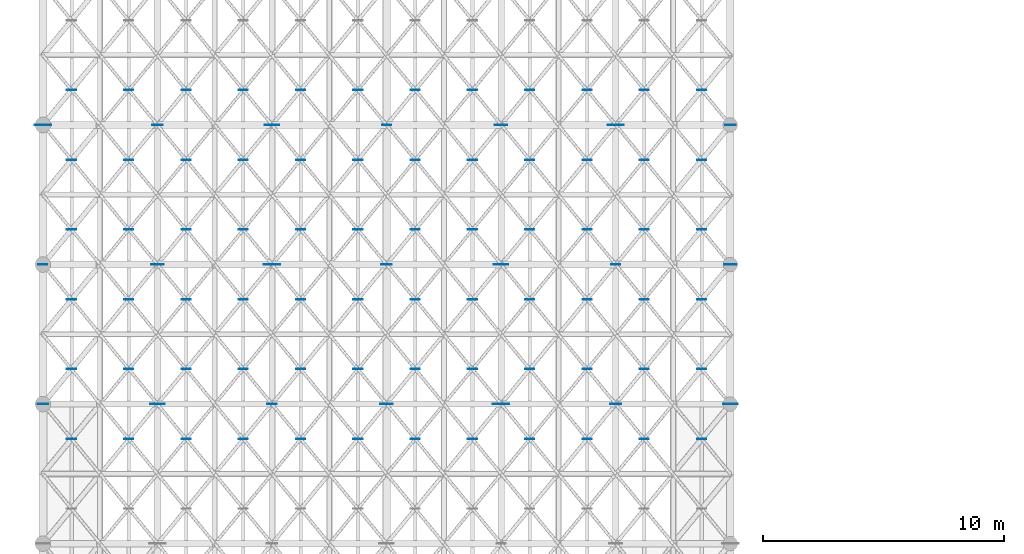
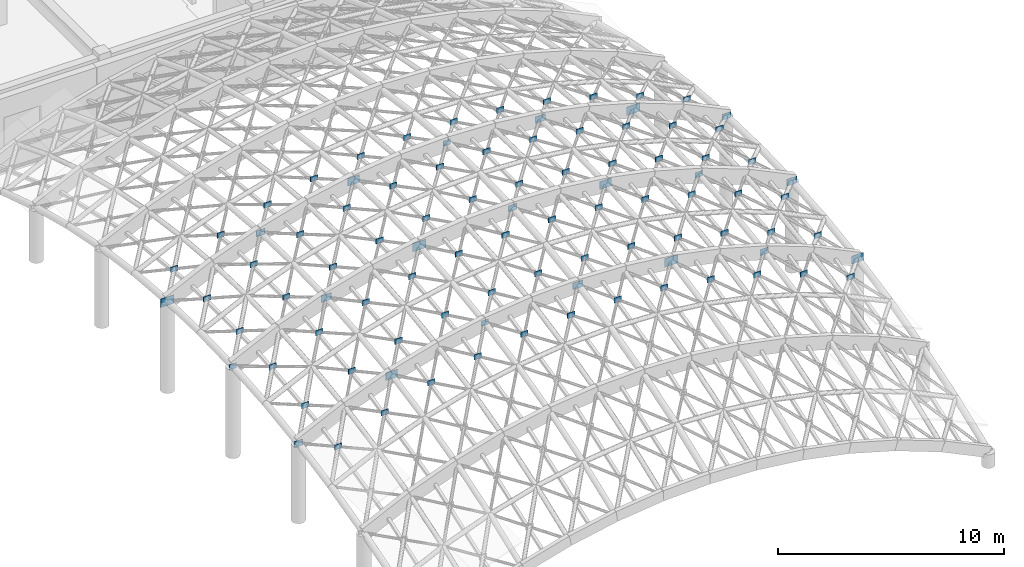
# One storey, part 125 of 146: 93 plates.
"""IFC4 building model written with IfcOpenShell, lengths in metres."""

from ifc_helpers import new_model, si_unit, direction, frame, origin, origin_2d, place, context, subcontext, project, spatial, rectangle, extrude, material, layer, layer_set, type_object, element, save


model = new_model("IFC4")

# Units and contexts
model_context = context("Model", 3, precision=1e-05, world=origin(), true_north=direction((0.0, 1.0)))
body_context = subcontext(model_context, "Body", "Model", "MODEL_VIEW")
ifc_project = project(units=[si_unit("LENGTHUNIT", "METRE"), si_unit("AREAUNIT", "SQUARE_METRE"), si_unit("VOLUMEUNIT", "CUBIC_METRE"), si_unit("PLANEANGLEUNIT", "RADIAN"), si_unit("MASSUNIT", "GRAM", prefix="KILO")], contexts=[model_context])

# Site, building, storey
site_placement = place(None, origin())
site = spatial("IfcSite", under=ifc_project, at=site_placement, CompositionType="ELEMENT")
building_placement = place(site_placement, origin())
building = spatial("IfcBuilding", under=site, at=building_placement, Name="Valcora Specialist Clinic", CompositionType="ELEMENT")
storey_placement = place(building_placement, frame((0.0, 0.0, 9.52001953125)))
storey = spatial("IfcBuildingStorey", under=building, at=storey_placement, Name="L02", CompositionType="ELEMENT", Elevation=9.52001953125)

# Plates
ifc_material = material(Name="Steel ASTM A572 Grade 50", Category="steel")
ifc_layer_1 = layer(ifc_material, 0.02587890625)
ifc_layer_set_1 = layer_set([ifc_layer_1], Name="Steel ASTM A572 Grade 50")
plate_type_1 = type_object("IfcPlateType", Name="TY-PL-GS1", PredefinedType="USERDEFINED", material=ifc_layer_set_1)
for number, where, z_axis, x_axis, name in (
    (1, (0.75, 61.89306640625, 4.531494140625), (0.0, 0.0, 1.0), (1.0, 0.0, 0.0), "Gridshell node gusset plate PL-GSN-005"),
    (2, (10.25, 56.10693359375, 7.715087890625), (0.0, 0.0, 1.0), (1.0, 0.0, 0.0), "Gridshell node gusset plate PL-GSN-020"),
    (3, (19.75, 50.321044921875, 7.066162109375), (0.0, 0.0, 1.0), (1.0, 0.0, 0.0), "Gridshell node gusset plate PL-GSN-035"),
    (4, (24.5, 61.89306640625, 6.5625), (0.0, 0.0, 1.0), (1.0, 0.0, 0.0), "Gridshell node gusset plate PL-GSN-045"),
):
    element("IfcPlate", number, at=place(storey_placement, frame(where, z_axis=z_axis, x_axis=x_axis)), inside=storey, type_object=plate_type_1, Name=name, ObjectType="GUSSET_PLATE", PredefinedType="USERDEFINED", context=body_context, shape_type="SweptSolid", body=[
        extrude(rectangle(XDim=0.679931640625, YDim=0.02587890625, at=origin_2d()), origin(), (0.0, 0.0, 1.0), 0.4599609375),
    ])
ifc_layer_2 = layer(ifc_material, 0.02392578125)
ifc_layer_set_2 = layer_set([ifc_layer_2], Name="Steel ASTM A572 Grade 50")
plate_type_2 = type_object("IfcPlateType", Name="TY-PL-GS2", PredefinedType="USERDEFINED", material=ifc_layer_set_2)
for number, where, z_axis, x_axis, name in (
    (5, (5.5, 50.321044921875, 5.933837890625), (0.0, 0.0, 1.0), (1.0, 0.0, 0.0), "Gridshell node gusset plate PL-GSN-011"),
    (6, (10.25, 61.89306640625, 7.735107421875), (0.0, 0.0, 1.0), (1.0, 0.0, 0.0), "Gridshell node gusset plate PL-GSN-021"),
    (7, (19.75, 56.10693359375, 7.735107421875), (0.0, 0.0, 1.0), (1.0, 0.0, 0.0), "Gridshell node gusset plate PL-GSN-036"),
    (8, (29.25, 50.321044921875, 3.90283203125), (0.0, 0.0, 1.0), (1.0, 0.0, 0.0), "Gridshell node gusset plate PL-GSN-051"),
):
    element("IfcPlate", number, at=place(storey_placement, frame(where, z_axis=z_axis, x_axis=x_axis)), inside=storey, type_object=plate_type_2, Name=name, ObjectType="GUSSET_PLATE", PredefinedType="USERDEFINED", context=body_context, shape_type="SweptSolid", body=[
        extrude(rectangle(XDim=0.60009765625, YDim=0.02392578125, at=origin_2d()), origin(), (0.0, 0.0, 1.0), 0.419921875),
    ])
ifc_layer_3 = layer(ifc_material, 0.02197265625)
ifc_layer_set_3 = layer_set([ifc_layer_3], Name="Steel ASTM A572 Grade 50")
plate_type_3 = type_object("IfcPlateType", Name="TY-PL-GS3", PredefinedType="USERDEFINED", material=ifc_layer_set_3)
for number, where, z_axis, x_axis, name in (
    (9, (5.5, 56.10693359375, 6.6123046875), (0.0, 0.0, 1.0), (1.0, 0.0, 0.0), "Gridshell node gusset plate PL-GSN-012"),
    (10, (15.0, 50.321044921875, 7.49072265625), (0.0, 0.0, 1.0), (1.0, 0.0, 0.0), "Gridshell node gusset plate PL-GSN-027"),
    (11, (19.75, 61.89306640625, 7.76513671875), (0.0, 0.0, 1.0), (1.0, 0.0, 0.0), "Gridshell node gusset plate PL-GSN-037"),
    (12, (29.25, 56.10693359375, 4.58154296875), (0.0, 0.0, 1.0), (1.0, 0.0, 0.0), "Gridshell node gusset plate PL-GSN-052"),
):
    element("IfcPlate", number, at=place(storey_placement, frame(where, z_axis=z_axis, x_axis=x_axis)), inside=storey, type_object=plate_type_3, Name=name, ObjectType="GUSSET_PLATE", PredefinedType="USERDEFINED", context=body_context, shape_type="SweptSolid", body=[
        extrude(rectangle(XDim=0.52001953125, YDim=0.02197265625, at=origin_2d()), origin(), (0.0, 0.0, 1.0), 0.360107421875),
    ])
ifc_layer_4 = layer(ifc_material, 0.02001953125)
ifc_layer_set_4 = layer_set([ifc_layer_4], Name="Steel ASTM A572 Grade 50")
plate_type_4 = type_object("IfcPlateType", Name="TY-PL-GS4", PredefinedType="USERDEFINED", material=ifc_layer_set_4)
for number, where, z_axis, x_axis, name in (
    (13, (0.75, 50.321044921875, 3.95263671875), (0.0, 0.0, 1.0), (1.0, 0.0, 0.0), "Gridshell node gusset plate PL-GSN-003"),
    (14, (5.5, 61.89306640625, 6.63232421875), (0.0, 0.0, 1.0), (1.0, 0.0, 0.0), "Gridshell node gusset plate PL-GSN-013"),
    (15, (15.0, 56.10693359375, 8.15966796875), (0.0, 0.0, 1.0), (1.0, 0.0, 0.0), "Gridshell node gusset plate PL-GSN-028"),
    (16, (24.5, 50.321044921875, 5.98388671875), (0.0, 0.0, 1.0), (1.0, 0.0, 0.0), "Gridshell node gusset plate PL-GSN-043"),
    (17, (29.25, 61.89306640625, 4.6015625), (0.0, 0.0, 1.0), (1.0, 0.0, 0.0), "Gridshell node gusset plate PL-GSN-053"),
):
    element("IfcPlate", number, at=place(storey_placement, frame(where, z_axis=z_axis, x_axis=x_axis)), inside=storey, type_object=plate_type_4, Name=name, ObjectType="GUSSET_PLATE", PredefinedType="USERDEFINED", context=body_context, shape_type="SweptSolid", body=[
        extrude(rectangle(XDim=0.43994140625, YDim=0.02001953125, at=origin_2d()), origin(), (0.0, 0.0, 1.0), 0.320068359375),
    ])
ifc_layer_5 = layer(ifc_material, 0.01806640625)
ifc_layer_set_5 = layer_set([ifc_layer_5], Name="Steel ASTM A572 Grade 50")
plate_type_5 = type_object("IfcPlateType", Name="TY-PL-GS5", PredefinedType="USERDEFINED", material=ifc_layer_set_5)
for number, where, z_axis, x_axis, name in (
    (18, (0.75, 56.10693359375, 4.62158203125), (0.0, 0.0, 1.0), (1.0, 0.0, 0.0), "Gridshell node gusset plate PL-GSN-004"),
    (19, (10.25, 50.321044921875, 7.15625), (0.0, 0.0, 1.0), (1.0, 0.0, 0.0), "Gridshell node gusset plate PL-GSN-019"),
    (20, (15.0, 61.89306640625, 8.1796875), (0.0, 0.0, 1.0), (1.0, 0.0, 0.0), "Gridshell node gusset plate PL-GSN-029"),
    (21, (24.5, 56.10693359375, 6.65234375), (0.0, 0.0, 1.0), (1.0, 0.0, 0.0), "Gridshell node gusset plate PL-GSN-044"),
    (22, (1.9375, 48.875, 4.2529296875), (0.0, 0.0, 1.0), (1.0, 0.0, 0.0), "Gridshell X-brace crossing gusset 0-3"),
    (23, (1.9375, 51.767578125, 4.74365234375), (0.0, 0.0, 1.0), (1.0, 0.0, 0.0), "Gridshell X-brace crossing gusset 0-4"),
    (24, (1.9375, 54.660400390625, 5.06787109375), (0.0, 0.0, 1.0), (1.0, 0.0, 0.0), "Gridshell X-brace crossing gusset 0-5"),
    (25, (1.9375, 57.553466796875, 5.2294921875), (0.0, 0.0, 1.0), (1.0, 0.0, 0.0), "Gridshell X-brace crossing gusset 0-6"),
    (26, (1.9375, 60.446533203125, 5.2294921875), (0.0, 0.0, 1.0), (1.0, 0.0, 0.0), "Gridshell X-brace crossing gusset 0-7"),
    (27, (1.9375, 63.339599609375, 5.06787109375), (0.0, 0.0, 1.0), (1.0, 0.0, 0.0), "Gridshell X-brace crossing gusset 0-8"),
    (28, (4.3125, 48.875, 5.2685546875), (0.0, 0.0, 1.0), (1.0, 0.0, 0.0), "Gridshell X-brace crossing gusset 1-3"),
    (29, (4.3125, 51.767578125, 5.75927734375), (0.0, 0.0, 1.0), (1.0, 0.0, 0.0), "Gridshell X-brace crossing gusset 1-4"),
    (30, (4.3125, 54.660400390625, 6.08349609375), (0.0, 0.0, 1.0), (1.0, 0.0, 0.0), "Gridshell X-brace crossing gusset 1-5"),
    (31, (4.3125, 57.553466796875, 6.2451171875), (0.0, 0.0, 1.0), (1.0, 0.0, 0.0), "Gridshell X-brace crossing gusset 1-6"),
    (32, (4.3125, 60.446533203125, 6.24462890625), (0.0, 0.0, 1.0), (1.0, 0.0, 0.0), "Gridshell X-brace crossing gusset 1-7"),
    (33, (4.3125, 63.339599609375, 6.08349609375), (0.0, 0.0, 1.0), (1.0, 0.0, 0.0), "Gridshell X-brace crossing gusset 1-8"),
    (34, (6.6875, 48.875, 6.05517578125), (0.0, 0.0, 1.0), (1.0, 0.0, 0.0), "Gridshell X-brace crossing gusset 2-3"),
    (35, (6.6875, 51.767578125, 6.5458984375), (0.0, 0.0, 1.0), (1.0, 0.0, 0.0), "Gridshell X-brace crossing gusset 2-4"),
    (36, (6.6875, 54.660400390625, 6.8701171875), (0.0, 0.0, 1.0), (1.0, 0.0, 0.0), "Gridshell X-brace crossing gusset 2-5"),
    (37, (6.6875, 57.553466796875, 7.03173828125), (0.0, 0.0, 1.0), (1.0, 0.0, 0.0), "Gridshell X-brace crossing gusset 2-6"),
    (38, (6.6875, 60.446533203125, 7.03173828125), (0.0, 0.0, 1.0), (1.0, 0.0, 0.0), "Gridshell X-brace crossing gusset 2-7"),
    (39, (6.6875, 63.339599609375, 6.8701171875), (0.0, 0.0, 1.0), (1.0, 0.0, 0.0), "Gridshell X-brace crossing gusset 2-8"),
    (40, (9.0625, 48.875, 6.63134765625), (0.0, 0.0, 1.0), (1.0, 0.0, 0.0), "Gridshell X-brace crossing gusset 3-3"),
    (41, (9.0625, 51.767578125, 7.1220703125), (0.0, 0.0, 1.0), (1.0, 0.0, 0.0), "Gridshell X-brace crossing gusset 3-4"),
    (42, (9.0625, 54.660400390625, 7.4462890625), (0.0, 0.0, 1.0), (1.0, 0.0, 0.0), "Gridshell X-brace crossing gusset 3-5"),
    (43, (9.0625, 57.553466796875, 7.60791015625), (0.0, 0.0, 1.0), (1.0, 0.0, 0.0), "Gridshell X-brace crossing gusset 3-6"),
    (44, (9.0625, 60.446533203125, 7.60791015625), (0.0, 0.0, 1.0), (1.0, 0.0, 0.0), "Gridshell X-brace crossing gusset 3-7"),
    (45, (9.0625, 63.339599609375, 7.4462890625), (0.0, 0.0, 1.0), (1.0, 0.0, 0.0), "Gridshell X-brace crossing gusset 3-8"),
    (46, (11.4375, 48.875, 7.009765625), (0.0, 0.0, 1.0), (1.0, 0.0, 0.0), "Gridshell X-brace crossing gusset 4-3"),
    (47, (11.4375, 51.767578125, 7.5), (0.0, 0.0, 1.0), (1.0, 0.0, 0.0), "Gridshell X-brace crossing gusset 4-4"),
    (48, (11.4375, 54.660400390625, 7.82470703125), (0.0, 0.0, 1.0), (1.0, 0.0, 0.0), "Gridshell X-brace crossing gusset 4-5"),
    (49, (11.4375, 57.553466796875, 7.98583984375), (0.0, 0.0, 1.0), (1.0, 0.0, 0.0), "Gridshell X-brace crossing gusset 4-6"),
    (50, (11.4375, 60.446533203125, 7.98583984375), (0.0, 0.0, 1.0), (1.0, 0.0, 0.0), "Gridshell X-brace crossing gusset 4-7"),
    (51, (11.4375, 63.339599609375, 7.82470703125), (0.0, 0.0, 1.0), (1.0, 0.0, 0.0), "Gridshell X-brace crossing gusset 4-8"),
    (52, (13.8125, 48.875, 7.19677734375), (0.0, 0.0, 1.0), (1.0, 0.0, 0.0), "Gridshell X-brace crossing gusset 5-3"),
    (53, (13.8125, 51.767578125, 7.6875), (0.0, 0.0, 1.0), (1.0, 0.0, 0.0), "Gridshell X-brace crossing gusset 5-4"),
    (54, (13.8125, 54.660400390625, 8.01171875), (0.0, 0.0, 1.0), (1.0, 0.0, 0.0), "Gridshell X-brace crossing gusset 5-5"),
    (55, (13.8125, 57.553466796875, 8.17333984375), (0.0, 0.0, 1.0), (1.0, 0.0, 0.0), "Gridshell X-brace crossing gusset 5-6"),
    (56, (13.8125, 60.446533203125, 8.1728515625), (0.0, 0.0, 1.0), (1.0, 0.0, 0.0), "Gridshell X-brace crossing gusset 5-7"),
    (57, (13.8125, 63.339599609375, 8.01171875), (0.0, 0.0, 1.0), (1.0, 0.0, 0.0), "Gridshell X-brace crossing gusset 5-8"),
    (58, (16.1875, 48.875, 7.19677734375), (0.0, 0.0, 1.0), (1.0, 0.0, 0.0), "Gridshell X-brace crossing gusset 6-3"),
    (59, (16.1875, 51.767578125, 7.6875), (0.0, 0.0, 1.0), (1.0, 0.0, 0.0), "Gridshell X-brace crossing gusset 6-4"),
    (60, (16.1875, 54.660400390625, 8.01171875), (0.0, 0.0, 1.0), (1.0, 0.0, 0.0), "Gridshell X-brace crossing gusset 6-5"),
    (61, (16.1875, 57.553466796875, 8.1728515625), (0.0, 0.0, 1.0), (1.0, 0.0, 0.0), "Gridshell X-brace crossing gusset 6-6"),
    (62, (16.1875, 60.446533203125, 8.17333984375), (0.0, 0.0, 1.0), (1.0, 0.0, 0.0), "Gridshell X-brace crossing gusset 6-7"),
    (63, (16.1875, 63.339599609375, 8.01171875), (0.0, 0.0, 1.0), (1.0, 0.0, 0.0), "Gridshell X-brace crossing gusset 6-8"),
    (64, (18.5625, 48.875, 7.009765625), (0.0, 0.0, 1.0), (1.0, 0.0, 0.0), "Gridshell X-brace crossing gusset 7-3"),
    (65, (18.5625, 51.767578125, 7.5), (0.0, 0.0, 1.0), (1.0, 0.0, 0.0), "Gridshell X-brace crossing gusset 7-4"),
    (66, (18.5625, 54.660400390625, 7.82470703125), (0.0, 0.0, 1.0), (1.0, 0.0, 0.0), "Gridshell X-brace crossing gusset 7-5"),
    (67, (18.5625, 57.553466796875, 7.98583984375), (0.0, 0.0, 1.0), (1.0, 0.0, 0.0), "Gridshell X-brace crossing gusset 7-6"),
    (68, (18.5625, 60.446533203125, 7.98583984375), (0.0, 0.0, 1.0), (1.0, 0.0, 0.0), "Gridshell X-brace crossing gusset 7-7"),
    (69, (18.5625, 63.339599609375, 7.82470703125), (0.0, 0.0, 1.0), (1.0, 0.0, 0.0), "Gridshell X-brace crossing gusset 7-8"),
    (70, (20.9375, 48.875, 6.63134765625), (0.0, 0.0, 1.0), (1.0, 0.0, 0.0), "Gridshell X-brace crossing gusset 8-3"),
    (71, (20.9375, 51.767578125, 7.1220703125), (0.0, 0.0, 1.0), (1.0, 0.0, 0.0), "Gridshell X-brace crossing gusset 8-4"),
    (72, (20.9375, 54.660400390625, 7.4462890625), (0.0, 0.0, 1.0), (1.0, 0.0, 0.0), "Gridshell X-brace crossing gusset 8-5"),
    (73, (20.9375, 57.553466796875, 7.60791015625), (0.0, 0.0, 1.0), (1.0, 0.0, 0.0), "Gridshell X-brace crossing gusset 8-6"),
    (74, (20.9375, 60.446533203125, 7.60791015625), (0.0, 0.0, 1.0), (1.0, 0.0, 0.0), "Gridshell X-brace crossing gusset 8-7"),
    (75, (20.9375, 63.339599609375, 7.4462890625), (0.0, 0.0, 1.0), (1.0, 0.0, 0.0), "Gridshell X-brace crossing gusset 8-8"),
    (76, (23.3125, 48.875, 6.05517578125), (0.0, 0.0, 1.0), (1.0, 0.0, 0.0), "Gridshell X-brace crossing gusset 9-3"),
    (77, (23.3125, 51.767578125, 6.5458984375), (0.0, 0.0, 1.0), (1.0, 0.0, 0.0), "Gridshell X-brace crossing gusset 9-4"),
    (78, (23.3125, 54.660400390625, 6.8701171875), (0.0, 0.0, 1.0), (1.0, 0.0, 0.0), "Gridshell X-brace crossing gusset 9-5"),
    (79, (23.3125, 57.553466796875, 7.03173828125), (0.0, 0.0, 1.0), (1.0, 0.0, 0.0), "Gridshell X-brace crossing gusset 9-6"),
    (80, (23.3125, 60.446533203125, 7.03173828125), (0.0, 0.0, 1.0), (1.0, 0.0, 0.0), "Gridshell X-brace crossing gusset 9-7"),
    (81, (23.3125, 63.339599609375, 6.8701171875), (0.0, 0.0, 1.0), (1.0, 0.0, 0.0), "Gridshell X-brace crossing gusset 9-8"),
    (82, (25.6875, 48.875, 5.2685546875), (0.0, 0.0, 1.0), (1.0, 0.0, 0.0), "Gridshell X-brace crossing gusset 10-3"),
    (83, (25.6875, 51.767578125, 5.75927734375), (0.0, 0.0, 1.0), (1.0, 0.0, 0.0), "Gridshell X-brace crossing gusset 10-4"),
    (84, (25.6875, 54.660400390625, 6.08349609375), (0.0, 0.0, 1.0), (1.0, 0.0, 0.0), "Gridshell X-brace crossing gusset 10-5"),
    (85, (25.6875, 57.553466796875, 6.24462890625), (0.0, 0.0, 1.0), (1.0, 0.0, 0.0), "Gridshell X-brace crossing gusset 10-6"),
    (86, (25.6875, 60.446533203125, 6.2451171875), (0.0, 0.0, 1.0), (1.0, 0.0, 0.0), "Gridshell X-brace crossing gusset 10-7"),
    (87, (25.6875, 63.339599609375, 6.08349609375), (0.0, 0.0, 1.0), (1.0, 0.0, 0.0), "Gridshell X-brace crossing gusset 10-8"),
    (88, (28.0625, 48.875, 4.2529296875), (0.0, 0.0, 1.0), (1.0, 0.0, 0.0), "Gridshell X-brace crossing gusset 11-3"),
    (89, (28.0625, 51.767578125, 4.74365234375), (0.0, 0.0, 1.0), (1.0, 0.0, 0.0), "Gridshell X-brace crossing gusset 11-4"),
    (90, (28.0625, 54.660400390625, 5.06787109375), (0.0, 0.0, 1.0), (1.0, 0.0, 0.0), "Gridshell X-brace crossing gusset 11-5"),
    (91, (28.0625, 57.553466796875, 5.2294921875), (0.0, 0.0, 1.0), (1.0, 0.0, 0.0), "Gridshell X-brace crossing gusset 11-6"),
    (92, (28.0625, 60.446533203125, 5.2294921875), (0.0, 0.0, 1.0), (1.0, 0.0, 0.0), "Gridshell X-brace crossing gusset 11-7"),
    (93, (28.0625, 63.339599609375, 5.06787109375), (0.0, 0.0, 1.0), (1.0, 0.0, 0.0), "Gridshell X-brace crossing gusset 11-8"),
):
    element("IfcPlate", number, at=place(storey_placement, frame(where, z_axis=z_axis, x_axis=x_axis)), inside=storey, type_object=plate_type_5, Name=name, ObjectType="GUSSET_PLATE", PredefinedType="USERDEFINED", context=body_context, shape_type="SweptSolid", body=[
        extrude(rectangle(XDim=0.3798828125, YDim=0.01806640625, at=origin_2d()), origin(), (0.0, 0.0, 1.0), 0.280029296875),
    ])

save(model, "model.ifc")
